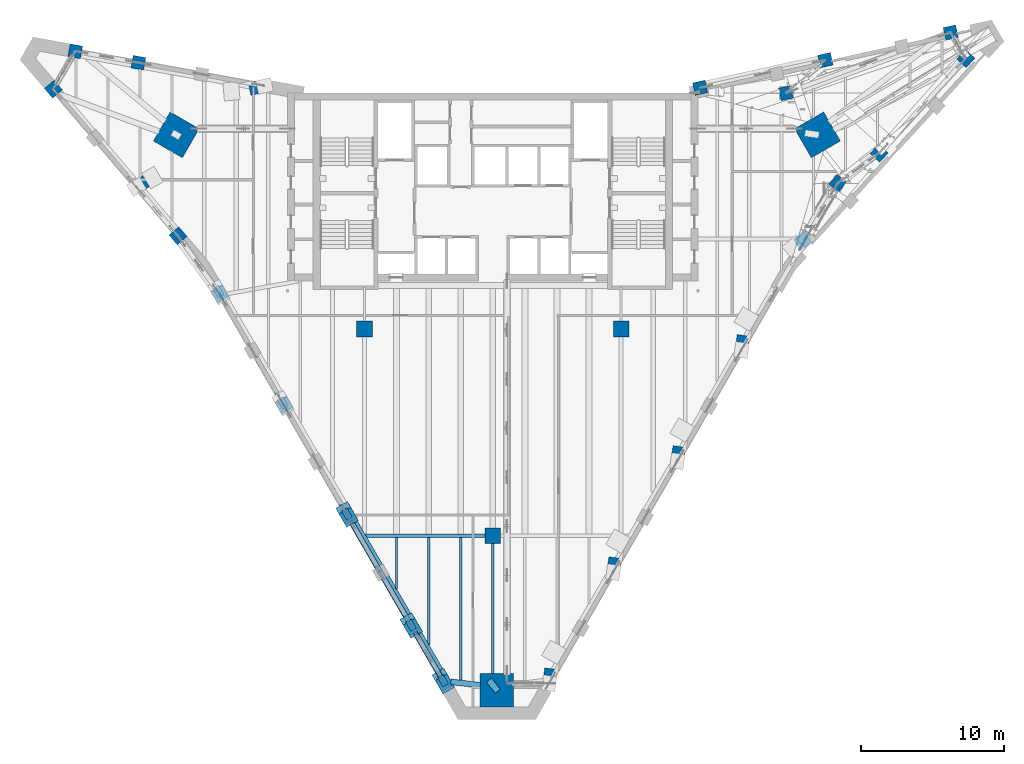
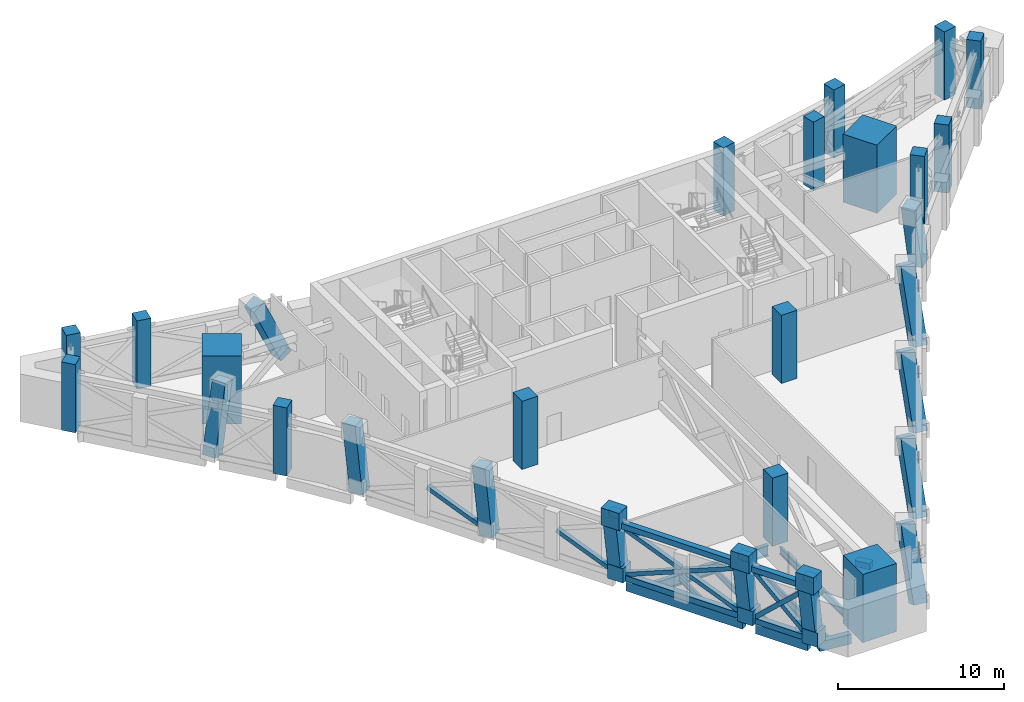
# One storey, part 1 of 23: 29 columns, 18 beams, 12 members.
"""IFC4 building model written with IfcOpenShell, lengths in metres."""

from ifc_helpers import new_model, si_unit, direction, frame, origin, origin_2d, place, context, subcontext, project, spatial, rectangle, hollow_rectangle, i_section, extrude, clip, halfspace, material, material_profile, profile_set, type_object, element, save


model = new_model("IFC4")

# Units and contexts
model_context = context("Model", 3, precision=1e-05, world=origin(), true_north=direction((0.0, 1.0)))
body_context = subcontext(model_context, "Body", "Model", "MODEL_VIEW")
ifc_project = project(units=[si_unit("LENGTHUNIT", "METRE"), si_unit("AREAUNIT", "SQUARE_METRE"), si_unit("VOLUMEUNIT", "CUBIC_METRE"), si_unit("PLANEANGLEUNIT", "RADIAN"), si_unit("MASSUNIT", "GRAM", prefix="KILO")], contexts=[model_context])

# Site, building, storey
site_placement = place(None, origin())
site = spatial("IfcSite", under=ifc_project, at=site_placement, CompositionType="ELEMENT")
building_placement = place(site_placement, origin())
building = spatial("IfcBuilding", under=site, at=building_placement, Name="Calabash Gate Tower", CompositionType="ELEMENT")
storey_placement = place(building_placement, frame((0.0, 0.0, 243.199951171875)))
storey = spatial("IfcBuildingStorey", under=building, at=storey_placement, Name="L58", CompositionType="ELEMENT", Elevation=243.199951171875)

# Columns
ifc_material_1 = material(Name="Concrete C60/75", Category="concrete")
ifc_material_profile_1 = material_profile(ifc_material_1, rectangle(XDim=1.10009765625, YDim=1.10009765625, at=origin_2d()))
ifc_profile_set_1 = profile_set([ifc_material_profile_1], Name="Concrete C60/75")
column_type_1 = type_object("IfcColumnType", Name="Interior column RC 1100x1100 Concrete C60/75", PredefinedType="COLUMN", material=ifc_profile_set_1)
for number, where, z_axis, x_axis, name in (
    (1, (-9.0, 2.5, 0.0), (0.0, 0.0, 1.0), (1.0, 0.0, 0.0), "Interior column L58 I0"),
    (2, (9.0, 2.5, 0.0), (0.0, 0.0, 1.0), (1.0, 0.0, 0.0), "Interior column L58 I1"),
    (3, (0.0, -12.0, 0.0), (0.0, 0.0, 1.0), (1.0, 0.0, 0.0), "Interior column L58 I2"),
):
    element("IfcColumn", number, at=place(storey_placement, frame(where, z_axis=z_axis, x_axis=x_axis)), inside=storey, type_object=column_type_1, Name=name, PredefinedType="COLUMN", context=body_context, shape_type="SweptSolid", body=[
        extrude(rectangle(XDim=1.10009765625, YDim=1.10009765625, at=origin_2d()), origin(), (0.0, 0.0, 1.0), 5.0),
    ])
ifc_material_2 = material(Name="Concrete C70/85", Category="concrete")
ifc_material_profile_2 = material_profile(ifc_material_2, rectangle(XDim=2.35009765625, YDim=2.35009765625, at=origin_2d()))
ifc_profile_set_2 = profile_set([ifc_material_profile_2], Name="Concrete C70/85")
column_type_2 = type_object("IfcColumnType", Name="Mega column RC 2350x2350 Concrete C70/85", PredefinedType="COLUMN", material=ifc_profile_set_2)
for number, where, z_axis, x_axis, name in (
    (4, (-22.2060546875, 16.116943359375, 0.0), (0.0, 0.0, 1.0), (0.866025412511, -0.499999984885, 0.0), "Mega column L58 NW"),
    (5, (22.77392578125, 16.116943359375, 0.0), (0.0, 0.0, 1.0), (-0.866025412511, -0.499999984885, 0.0), "Mega column L58 NE"),
    (6, (0.283935546875, -22.8369140625, 0.0), (0.0, 0.0, 1.0), (0.0, 1.0, 0.0), "Mega column L58 S"),
):
    element("IfcColumn", number, at=place(storey_placement, frame(where, z_axis=z_axis, x_axis=x_axis)), inside=storey, type_object=column_type_2, Name=name, PredefinedType="COLUMN", context=body_context, shape_type="SweptSolid", body=[
        extrude(rectangle(XDim=2.35009765625, YDim=2.35009765625, at=origin_2d()), origin(), (0.0, 0.0, 1.0), 5.0),
    ])
ifc_material_3 = material(Name="Concrete C50/60", Category="concrete")
ifc_material_profile_3 = material_profile(ifc_material_3, rectangle(XDim=0.89990234375, YDim=0.89990234375, at=origin_2d()))
ifc_profile_set_3 = profile_set([ifc_material_profile_3], Name="Concrete C50/60")
column_type_3 = type_object("IfcColumnType", Name="Perimeter column RC 900x900 Concrete C50/60", PredefinedType="COLUMN", material=ifc_profile_set_3)
for number, where, z_axis, x_axis, name in (
    (7, (27.10400390625, 14.825927734375, 0.0), (0.0, 0.0, 1.0), (0.67485604152, 0.737949404244, 0.0), "Perimeter column L58 P36"),
    (8, (33.177978515625, 21.468017578125, 0.0), (0.0, 0.0, 1.0), (0.67485604152, 0.737949404244, 0.0), "Perimeter column L58 P37"),
    (9, (32.12109375, 23.298095703125, 0.0), (0.0, 0.0, 1.0), (-0.976510951543, -0.215467773731, 0.0), "Perimeter column L58 P38"),
    (10, (23.3330078125, 21.35888671875, 0.0), (0.0, 0.0, 1.0), (-0.976510951543, -0.215467773731, 0.0), "Perimeter column L58 P39"),
    (11, (14.5439453125, 19.4189453125, 0.0), (0.0, 0.0, 1.0), (-0.976510951543, -0.215467773731, 0.0), "Perimeter column L58 P40"),
):
    element("IfcColumn", number, at=place(storey_placement, frame(where, z_axis=z_axis, x_axis=x_axis)), inside=storey, type_object=column_type_3, Name=name, PredefinedType="COLUMN", context=body_context, shape_type="SweptSolid", body=[
        extrude(rectangle(XDim=0.89990234375, YDim=0.89990234375, at=origin_2d()), origin(), (0.0, 0.0, 1.0), 5.0),
    ])
ifc_material_4 = material(Name="Concrete C60/75", Category="concrete")
ifc_material_profile_4 = material_profile(ifc_material_4, rectangle(XDim=0.89990234375, YDim=0.89990234375, at=origin_2d()))
ifc_profile_set_4 = profile_set([ifc_material_profile_4], Name="Concrete C60/75")
column_type_4 = type_object("IfcColumnType", Name="Perimeter column RC 900x900 Concrete C60/75", PredefinedType="COLUMN", material=ifc_profile_set_4)
for number, where, z_axis, x_axis, name in (
    (12, (24.196044921875, 12.708984375, 0.0), (0.0, 0.0, 1.0), (0.67485604152, 0.737949404244, 0.0), "Perimeter column L58 P13"),
    (13, (20.576904296875, 19.052978515625, 0.0), (0.0, 0.0, 1.0), (-0.976510947782, -0.215467790775, 0.0), "Perimeter column L58 P24"),
    (14, (-24.865966796875, 21.1708984375, 0.0), (0.0, 0.0, 1.0), (-0.983669930074, 0.179981856499, 0.0), "Perimeter column L58 P32"),
    (15, (-29.29296875, 21.97998046875, 0.0), (0.0, 0.0, 1.0), (-0.983669930074, 0.179981856499, 0.0), "Perimeter column L58 P33"),
    (16, (-30.827880859375, 19.322021484375, 0.0), (0.0, 0.0, 1.0), (0.647703824985, -0.761892220133, 0.0), "Perimeter column L58 P34"),
    (17, (-22.083984375, 9.037109375, 0.0), (0.0, 0.0, 1.0), (0.647703824985, -0.761892220133, 0.0), "Perimeter column L58 P35"),
):
    element("IfcColumn", number, at=place(storey_placement, frame(where, z_axis=z_axis, x_axis=x_axis)), inside=storey, type_object=column_type_4, Name=name, PredefinedType="COLUMN", context=body_context, shape_type="SweptSolid", body=[
        extrude(rectangle(XDim=0.89990234375, YDim=0.89990234375, at=origin_2d()), origin(), (0.0, 0.0, 1.0), 5.0),
    ])
ifc_material_5 = material(Name="Concrete C50/60", Category="concrete")
ifc_material_profile_5 = material_profile(ifc_material_5, rectangle(XDim=0.89990234375, YDim=0.89990234375, at=origin_2d()))
ifc_profile_set_5 = profile_set([ifc_material_profile_5], Name="Concrete C50/60")
column_type_5 = type_object("IfcColumnType", Name="Raking transfer column RC 900x900 Concrete C50/60", PredefinedType="COLUMN", material=ifc_profile_set_5)
column_1_placement = place(storey_placement, frame((-19.10693359375, 4.8779296875, 0.0), z_axis=(-0.052924598221, 0.09147701197, 0.994399790418), x_axis=(-0.865573038351, -0.500782702656, 0.0)))
element("IfcColumn", 18, at=column_1_placement, inside=storey, type_object=column_type_5, Name="Raking transfer column L58 TP00", PredefinedType="COLUMN", context=body_context, shape_type="Clipping", body=[
    clip(clip(extrude(rectangle(XDim=0.89990234375, YDim=0.89990234375, at=origin_2d()), origin(), (0.0, 0.0, 1.0), 5.028076171875), halfspace(frame((0.0, 0.0, 0.052001953125), z_axis=(0.0, 0.0, 1.0), x_axis=(1.0, 0.0, 0.0)), True)), halfspace(frame((0.0, 0.0, 4.97607421875), z_axis=(0.0, 0.0, 1.0), x_axis=(1.0, 0.0, 0.0)), False)),
])
for number, where, z_axis, x_axis, name in (
    (19, (-14.60693359375, -2.9169921875, 0.0), (-0.05292365696, 0.091669600312, 0.994382105085), (-0.866032814021, -0.499987164874, 0.0), "Raking transfer column L58 TP01"),
    (20, (-10.10693359375, -10.7109375, 0.0), (-0.05292365696, 0.091669600312, 0.994382105085), (-0.866032814021, -0.499987164874, 0.0), "Raking transfer column L58 TP02"),
):
    element("IfcColumn", number, at=place(storey_placement, frame(where, z_axis=z_axis, x_axis=x_axis)), inside=storey, type_object=column_type_5, Name=name, PredefinedType="COLUMN", context=body_context, shape_type="Clipping", body=[
        clip(clip(extrude(rectangle(XDim=0.89990234375, YDim=0.89990234375, at=origin_2d()), origin(), (0.0, 0.0, 1.0), 5.0283203125), halfspace(frame((0.0, 0.0, 0.052001953125), z_axis=(0.0, 0.0, 1.0), x_axis=(1.0, 0.0, 0.0)), True)), halfspace(frame((0.0, 0.0, 4.976318359375), z_axis=(0.0, 0.0, 1.0), x_axis=(1.0, 0.0, 0.0)), False)),
    ])
column_2_placement = place(storey_placement, frame((-5.60693359375, -18.5029296875, 0.0), z_axis=(-0.052924598221, 0.09147701197, 0.994399790418), x_axis=(-0.865573038351, -0.500782702656, 0.0)))
element("IfcColumn", 21, at=column_2_placement, inside=storey, type_object=column_type_5, Name="Raking transfer column L58 TP03", PredefinedType="COLUMN", context=body_context, shape_type="Clipping", body=[
    clip(clip(extrude(rectangle(XDim=0.89990234375, YDim=0.89990234375, at=origin_2d()), origin(), (0.0, 0.0, 1.0), 5.028076171875), halfspace(frame((0.0, 0.0, 0.052001953125), z_axis=(0.0, 0.0, 1.0), x_axis=(1.0, 0.0, 0.0)), True)), halfspace(frame((0.0, 0.0, 4.97607421875), z_axis=(0.0, 0.0, 1.0), x_axis=(1.0, 0.0, 0.0)), False)),
])
column_3_placement = place(storey_placement, frame((3.946044921875, -22.363037109375, 0.0), z_axis=(0.057747524839, 0.408014291444, 0.911147387283), x_axis=(-0.990132197726, 0.140136472865, 0.0)))
element("IfcColumn", 22, at=column_3_placement, inside=storey, type_object=column_type_5, Name="Raking transfer column L58 TP08", PredefinedType="COLUMN", context=body_context, shape_type="Clipping", body=[
    clip(clip(extrude(rectangle(XDim=0.89990234375, YDim=0.89990234375, at=origin_2d()), origin(), (0.0, 0.0, 1.0), 5.487548828125), halfspace(frame((0.0, 0.0, 0.2080078125), z_axis=(0.0, 0.0, 1.0), x_axis=(1.0, 0.0, 0.0)), True)), halfspace(frame((0.0, 0.0, 5.279541015625), z_axis=(0.0, 0.0, 1.0), x_axis=(1.0, 0.0, 0.0)), False)),
])
column_4_placement = place(storey_placement, frame((8.446044921875, -14.571044921875, 0.0), z_axis=(0.057739136959, 0.408310892257, 0.911015042317), x_axis=(-0.990149137671, 0.140016731746, 0.0)))
element("IfcColumn", 23, at=column_4_placement, inside=storey, type_object=column_type_5, Name="Raking transfer column L58 TP09", PredefinedType="COLUMN", context=body_context, shape_type="Clipping", body=[
    clip(clip(extrude(rectangle(XDim=0.89990234375, YDim=0.89990234375, at=origin_2d()), origin(), (0.0, 0.0, 1.0), 5.48828125), halfspace(frame((0.0, 0.0, 0.2080078125), z_axis=(0.0, 0.0, 1.0), x_axis=(1.0, 0.0, 0.0)), True)), halfspace(frame((0.0, 0.0, 5.2802734375), z_axis=(0.0, 0.0, 1.0), x_axis=(1.0, 0.0, 0.0)), False)),
])
column_5_placement = place(storey_placement, frame((12.946044921875, -6.77587890625, 0.0), z_axis=(0.057730745425, 0.408607363807, 0.910882639683), x_axis=(-0.990166034249, 0.13989719304, 0.0)))
element("IfcColumn", 24, at=column_5_placement, inside=storey, type_object=column_type_5, Name="Raking transfer column L58 TP10", PredefinedType="COLUMN", context=body_context, shape_type="Clipping", body=[
    clip(clip(extrude(rectangle(XDim=0.89990234375, YDim=0.89990234375, at=origin_2d()), origin(), (0.0, 0.0, 1.0), 5.4892578125), halfspace(frame((0.0, 0.0, 0.2080078125), z_axis=(0.0, 0.0, 1.0), x_axis=(1.0, 0.0, 0.0)), True)), halfspace(frame((0.0, 0.0, 5.28125), z_axis=(0.0, 0.0, 1.0), x_axis=(1.0, 0.0, 0.0)), False)),
])
column_6_placement = place(storey_placement, frame((17.446044921875, 1.01806640625, 0.0), z_axis=(0.057739136959, 0.408310892257, 0.911015042317), x_axis=(-0.990149137671, 0.140016731746, 0.0)))
element("IfcColumn", 25, at=column_6_placement, inside=storey, type_object=column_type_5, Name="Raking transfer column L58 TP11", PredefinedType="COLUMN", context=body_context, shape_type="Clipping", body=[
    clip(clip(extrude(rectangle(XDim=0.89990234375, YDim=0.89990234375, at=origin_2d()), origin(), (0.0, 0.0, 1.0), 5.48828125), halfspace(frame((0.0, 0.0, 0.2080078125), z_axis=(0.0, 0.0, 1.0), x_axis=(1.0, 0.0, 0.0)), True)), halfspace(frame((0.0, 0.0, 5.2802734375), z_axis=(0.0, 0.0, 1.0), x_axis=(1.0, 0.0, 0.0)), False)),
])
column_7_placement = place(storey_placement, frame((21.946044921875, 8.81201171875, 0.0), z_axis=(-0.178672492864, -0.122038842511, 0.976310740089), x_axis=(0.564020277676, -0.825760937784, 0.0)))
element("IfcColumn", 26, at=column_7_placement, inside=storey, type_object=column_type_5, Name="Raking transfer column L58 TP12", PredefinedType="COLUMN", context=body_context, shape_type="Clipping", body=[
    clip(clip(extrude(rectangle(XDim=0.89990234375, YDim=0.89990234375, at=origin_2d()), origin(), (0.0, 0.0, 1.0), 5.121337890625), halfspace(frame((0.0, 0.0, 0.10400390625), z_axis=(0.0, 0.0, 1.0), x_axis=(1.0, 0.0, 0.0)), True)), halfspace(frame((0.0, 0.0, 5.017333984375), z_axis=(0.0, 0.0, 1.0), x_axis=(1.0, 0.0, 0.0)), False)),
])
column_8_placement = place(storey_placement, frame((-24.998046875, 12.467041015625, 0.0), z_axis=(0.217687070943, 0.128684804959, 0.967498093082), x_axis=(-0.508880357286, 0.860837256378, 0.0)))
element("IfcColumn", 27, at=column_8_placement, inside=storey, type_object=column_type_5, Name="Raking transfer column L58 TP20", PredefinedType="COLUMN", context=body_context, shape_type="Clipping", body=[
    clip(clip(extrude(rectangle(XDim=0.89990234375, YDim=0.89990234375, at=origin_2d()), origin(), (0.0, 0.0, 1.0), 5.16796875), halfspace(frame((0.0, 0.0, 0.1220703125), z_axis=(0.0, 0.0, 1.0), x_axis=(1.0, 0.0, 0.0)), True)), halfspace(frame((0.0, 0.0, 5.0458984375), z_axis=(0.0, 0.0, 1.0), x_axis=(1.0, 0.0, 0.0)), False)),
])
column_9_placement = place(storey_placement, frame((-3.35693359375, -22.402099609375, 0.0), z_axis=(-0.052924363088, 0.091525160019, 0.994395372513), x_axis=(-0.865688187955, -0.500583620621, 0.0)))
element("IfcColumn", 28, at=column_9_placement, inside=storey, type_object=column_type_5, Name="Raking transfer column L58 TP25", PredefinedType="COLUMN", context=body_context, shape_type="Clipping", body=[
    clip(clip(extrude(rectangle(XDim=0.89990234375, YDim=0.89990234375, at=origin_2d()), origin(), (0.0, 0.0, 1.0), 5.028076171875), halfspace(frame((0.0, 0.0, 0.052001953125), z_axis=(0.0, 0.0, 1.0), x_axis=(1.0, 0.0, 0.0)), True)), halfspace(frame((0.0, 0.0, 4.97607421875), z_axis=(0.0, 0.0, 1.0), x_axis=(1.0, 0.0, 0.0)), False)),
])
column_10_placement = place(storey_placement, frame((-16.012939453125, 19.551025390625, 0.0), z_axis=(-0.422175331094, -0.089852652627, 0.902050159709), x_axis=(0.208169957675, -0.97809266878, 0.0)))
element("IfcColumn", 29, at=column_10_placement, inside=storey, type_object=column_type_5, Name="Raking transfer column L58 TP31", PredefinedType="COLUMN", context=body_context, shape_type="Clipping", body=[
    clip(clip(extrude(rectangle(XDim=0.89990234375, YDim=0.89990234375, at=origin_2d()), origin(), (0.0, 0.0, 1.0), 5.54296875), halfspace(frame((0.0, 0.0, 0.219970703125), z_axis=(0.0, 0.0, 1.0), x_axis=(1.0, 0.0, 0.0)), True)), halfspace(frame((0.0, 0.0, 5.322998046875), z_axis=(0.0, 0.0, 1.0), x_axis=(1.0, 0.0, 0.0)), False)),
])

# Members
ifc_material_6 = material(Name="Steel ASTM A500 Gr C", Category="steel")
ifc_material_profile_6 = material_profile(ifc_material_6, hollow_rectangle(XDim=0.406494140625, YDim=0.406494140625, WallThickness=0.015869140625, at=origin_2d()))
ifc_profile_set_6 = profile_set([ifc_material_profile_6], Name="Steel ASTM A500 Gr C")
member_type_1 = type_object("IfcMemberType", Name="Belt truss chord HSS16X16X.625 ASTM A500 Gr C", PredefinedType="CHORD", material=ifc_profile_set_6)
member_1_placement = place(storey_placement, frame((-9.882080078125, -11.1005859375, 0.203369140625), z_axis=(0.499999880539, -0.866025472755, 0.0), x_axis=(0.866025472755, 0.499999880539, 0.0)))
element("IfcMember", 30, at=member_1_placement, inside=storey, type_object=member_type_1, Name="Belt chord L58 11", PredefinedType="CHORD", context=body_context, shape_type="SweptSolid", body=[
    extrude(hollow_rectangle(XDim=0.406494140625, YDim=0.406494140625, WallThickness=0.015869140625, at=origin_2d()), origin(), (0.0, 0.0, 1.0), 8.10009765625),
])
member_2_placement = place(storey_placement, frame((-9.968994140625, -10.948974609375, 3.927001953125), z_axis=(0.499943798162, -0.866057848997, -2.9503913e-05), x_axis=(0.866057849374, 0.49994379838, 0.0)))
element("IfcMember", 31, at=member_2_placement, inside=storey, type_object=member_type_1, Name="Belt chord L58 12", PredefinedType="CHORD", context=body_context, shape_type="SweptSolid", body=[
    extrude(hollow_rectangle(XDim=0.406494140625, YDim=0.406494140625, WallThickness=0.015869140625, at=origin_2d()), origin(), (0.0, 0.0, 1.0), 8.27490234375),
])
member_3_placement = place(storey_placement, frame((-5.382080078125, -18.894775390625, 0.203369140625), z_axis=(0.500012057535, -0.866018442252, 0.0), x_axis=(0.866018442252, 0.500012057535, 0.0)))
element("IfcMember", 32, at=member_3_placement, inside=storey, type_object=member_type_1, Name="Belt chord L58 16", PredefinedType="CHORD", context=body_context, shape_type="SweptSolid", body=[
    extrude(hollow_rectangle(XDim=0.406494140625, YDim=0.406494140625, WallThickness=0.015869140625, at=origin_2d()), origin(), (0.0, 0.0, 1.0), 3.60009765625),
])
member_4_placement = place(storey_placement, frame((-5.468994140625, -18.742919921875, 3.927001953125), z_axis=(0.499860549958, -0.866105897921, -6.4673379e-05), x_axis=(0.866105899732, 0.499860551003, 0.0)))
element("IfcMember", 33, at=member_4_placement, inside=storey, type_object=member_type_1, Name="Belt chord L58 17", PredefinedType="CHORD", context=body_context, shape_type="SweptSolid", body=[
    extrude(hollow_rectangle(XDim=0.406494140625, YDim=0.406494140625, WallThickness=0.015869140625, at=origin_2d()), origin(), (0.0, 0.0, 1.0), 3.77490234375),
])
ifc_material_7 = material(Name="Steel ASTM A500 Gr C", Category="steel")
ifc_material_profile_7 = material_profile(ifc_material_7, hollow_rectangle(XDim=0.3046875, YDim=0.3046875, WallThickness=0.0126953125, at=origin_2d()))
ifc_profile_set_7 = profile_set([ifc_material_profile_7], Name="Steel ASTM A500 Gr C")
member_type_2 = type_object("IfcMemberType", Name="Belt truss diagonal HSS12X12X.500 ASTM A500 Gr C", PredefinedType="BRACE", material=ifc_profile_set_7)
for number, where, z_axis, x_axis, name in (
    (34, (-16.75634765625, 0.806396484375, 1.982666015625), (0.462679271023, -0.801441269637, -0.378972008846), (0.866040873467, 0.499973204766, 0.0), "Belt diagonal (split) L58 5 half 2 of 2"),
    (35, (-12.25634765625, -6.988037109375, 1.982666015625), (0.462679271023, -0.801441269637, -0.378972008846), (0.866040873467, 0.499973204766, 0.0), "Belt diagonal (split) L58 10 half 2 of 2"),
):
    element("IfcMember", number, at=place(storey_placement, frame(where, z_axis=z_axis, x_axis=x_axis)), inside=storey, type_object=member_type_2, Name=name, PredefinedType="BRACE", context=body_context, shape_type="SweptSolid", body=[
        extrude(hollow_rectangle(XDim=0.3046875, YDim=0.3046875, WallThickness=0.0126953125, at=origin_2d()), origin(), (0.0, 0.0, 1.0), 4.1591796875),
    ])
member_5_placement = place(storey_placement, frame((-9.882080078125, -11.1005859375, 0.406494140625), z_axis=(0.462704041468, -0.801427163994, 0.378971596325), x_axis=(0.866025472755, 0.499999880539, 0.0)))
element("IfcMember", 36, at=member_5_placement, inside=storey, type_object=member_type_2, Name="Belt diagonal L58 13", PredefinedType="BRACE", context=body_context, shape_type="SweptSolid", body=[
    extrude(hollow_rectangle(XDim=0.3046875, YDim=0.3046875, WallThickness=0.0126953125, at=origin_2d()), origin(), (0.0, 0.0, 1.0), 8.7529296875),
])
for number, where, z_axis, x_axis, name in (
    (37, (-9.882080078125, -11.1005859375, 3.7236328125), (0.462725403696, -0.801419502304, -0.378961715878), (0.866013407032, 0.50002077841, 0.0), "Belt diagonal (split) L58 14 half 1 of 2"),
    (38, (-7.75634765625, -14.7822265625, 1.982666015625), (0.462679271023, -0.801441269637, -0.378972008846), (0.866040873467, 0.499973204766, 0.0), "Belt diagonal (split) L58 15 half 2 of 2"),
):
    element("IfcMember", number, at=place(storey_placement, frame(where, z_axis=z_axis, x_axis=x_axis)), inside=storey, type_object=member_type_2, Name=name, PredefinedType="BRACE", context=body_context, shape_type="SweptSolid", body=[
        extrude(hollow_rectangle(XDim=0.3046875, YDim=0.3046875, WallThickness=0.0126953125, at=origin_2d()), origin(), (0.0, 0.0, 1.0), 4.1591796875),
    ])
member_6_placement = place(storey_placement, frame((-5.382080078125, -18.894775390625, 0.406494140625), z_axis=(0.367713249535, -0.636877552769, 0.67762375172), x_axis=(0.866018442252, 0.500012057535, 0.0)))
element("IfcMember", 39, at=member_6_placement, inside=storey, type_object=member_type_2, Name="Belt diagonal L58 18", PredefinedType="BRACE", context=body_context, shape_type="SweptSolid", body=[
    extrude(hollow_rectangle(XDim=0.3046875, YDim=0.3046875, WallThickness=0.0126953125, at=origin_2d()), origin(), (0.0, 0.0, 1.0), 4.895263671875),
])
for number, where, z_axis, x_axis, name in (
    (40, (-5.382080078125, -18.894775390625, 3.7236328125), (0.367792585495, -0.636854618679, -0.677602249644), (0.865963927625, 0.500106464718, 0.0), "Belt diagonal (split) L58 19 half 1 of 2"),
    (41, (-4.42578125, -20.551025390625, 1.96142578125), (0.367700581029, -0.63687953647, -0.67762876174), (0.866026575979, 0.499997969693, 0.0), "Belt diagonal (split) L58 20 half 2 of 2"),
):
    element("IfcMember", number, at=place(storey_placement, frame(where, z_axis=z_axis, x_axis=x_axis)), inside=storey, type_object=member_type_2, Name=name, PredefinedType="BRACE", context=body_context, shape_type="SweptSolid", body=[
        extrude(hollow_rectangle(XDim=0.3046875, YDim=0.3046875, WallThickness=0.0126953125, at=origin_2d()), origin(), (0.0, 0.0, 1.0), 2.294677734375),
    ])

# Beams
ifc_material_8 = material(Name="Concrete C80/95", Category="concrete")
ifc_material_profile_8 = material_profile(ifc_material_8, rectangle(XDim=0.449951171875, YDim=0.449951171875, at=origin_2d()))
ifc_profile_set_8 = profile_set([ifc_material_profile_8], Name="Concrete C80/95")
beam_type_1 = type_object("IfcBeamType", Name="Column offset link RC 450x450 Concrete C80/95", PredefinedType="BEAM", material=ifc_profile_set_8)
for number, where, z_axis, x_axis, name in (
    (42, (-10.056884765625, -10.798095703125, 4.60400390625), (-0.500155377952, 0.865935677695, 0.0), (-0.865935677695, -0.500155377952, 0.0), "Column offset link L58 P02"),
    (43, (-5.556884765625, -18.592041015625, 4.60400390625), (-0.500155377952, 0.865935677695, 0.0), (-0.865935677695, -0.500155377952, 0.0), "Column offset link L58 P03"),
):
    element("IfcBeam", number, at=place(storey_placement, frame(where, z_axis=z_axis, x_axis=x_axis)), inside=storey, type_object=beam_type_1, Name=name, PredefinedType="BEAM", context=body_context, shape_type="SweptSolid", body=[
        extrude(rectangle(XDim=0.449951171875, YDim=0.449951171875, at=origin_2d()), origin(), (0.0, 0.0, 1.0), 0.732177734375),
    ])
beam_1_placement = place(storey_placement, frame((-3.306884765625, -22.489013671875, 4.60400390625), z_axis=(-0.499002299738, 0.866600660545, 0.0), x_axis=(-0.866600660545, -0.499002299738, 0.0)))
element("IfcBeam", 44, at=beam_1_placement, inside=storey, type_object=beam_type_1, Name="Column offset link L58 P25", PredefinedType="BEAM", context=body_context, shape_type="SweptSolid", body=[
    extrude(rectangle(XDim=0.449951171875, YDim=0.449951171875, at=origin_2d()), origin(), (0.0, 0.0, 1.0), 0.73388671875),
])
beam_2_placement = place(storey_placement, frame((0.345947265625, -22.9130859375, 4.60400390625), z_axis=(-0.61983635684, 0.784731094541, 0.0), x_axis=(-0.784731094541, -0.61983635684, 0.0)))
element("IfcBeam", 45, at=beam_2_placement, inside=storey, type_object=beam_type_1, Name="Column offset link L58 S", PredefinedType="BEAM", context=body_context, shape_type="SweptSolid", body=[
    extrude(rectangle(XDim=0.449951171875, YDim=0.449951171875, at=origin_2d()), origin(), (0.0, 0.0, 1.0), 0.989013671875),
])
ifc_material_9 = material(Name="Concrete C50/60", Category="concrete")
ifc_material_profile_9 = material_profile(ifc_material_9, rectangle(XDim=0.39990234375, YDim=0.699951171875, at=origin_2d()))
ifc_profile_set_9 = profile_set([ifc_material_profile_9], Name="Concrete C50/60")
beam_type_2 = type_object("IfcBeamType", Name="Edge beam RC 400x700 Concrete C50/60", PredefinedType="BEAM", material=ifc_profile_set_9)
beam_3_placement = place(storey_placement, frame((-9.708984375, -11.0009765625, -0.52001953125), z_axis=(0.50015653576, -0.865935008956, 0.0), x_axis=(0.865935008956, 0.50015653576, 0.0)))
element("IfcBeam", 46, at=beam_3_placement, inside=storey, type_object=beam_type_2, Name="Edge beam L58 2", PredefinedType="BEAM", context=body_context, shape_type="SweptSolid", body=[
    extrude(rectangle(XDim=0.39990234375, YDim=0.699951171875, at=origin_2d()), origin(), (0.0, 0.0, 1.0), 8.09765625),
])
beam_4_placement = place(storey_placement, frame((-5.208984375, -18.79296875, -0.52001953125), z_axis=(0.499718541836, -0.86618784276, 0.0), x_axis=(0.86618784276, 0.499718541836, 0.0)))
element("IfcBeam", 47, at=beam_4_placement, inside=storey, type_object=beam_type_2, Name="Edge beam L58 3", PredefinedType="BEAM", context=body_context, shape_type="SweptSolid", body=[
    extrude(rectangle(XDim=0.39990234375, YDim=0.699951171875, at=origin_2d()), origin(), (0.0, 0.0, 1.0), 3.60205078125),
])
beam_5_placement = place(storey_placement, frame((-2.9560546875, -22.2490234375, -0.52001953125), z_axis=(0.99294515256, -0.118574550423, 0.0), x_axis=(0.118574550423, 0.99294515256, 0.0)))
element("IfcBeam", 48, at=beam_5_placement, inside=storey, type_object=beam_type_2, Name="Edge beam L58 4", PredefinedType="BEAM", context=body_context, shape_type="SweptSolid", body=[
    extrude(rectangle(XDim=0.39990234375, YDim=0.699951171875, at=origin_2d()), origin(), (0.0, 0.0, 1.0), 2.091796875),
])
ifc_material_10 = material(Name="Steel ASTM A992 Gr50", Category="steel")
ifc_material_profile_10 = material_profile(ifc_material_10, i_section(OverallWidth=0.1396484375, OverallDepth=0.398681640625, WebThickness=0.00634765625, FlangeThickness=0.0087890625, FilletRadius=0.01025390625, at=origin_2d()))
ifc_profile_set_10 = profile_set([ifc_material_profile_10], Name="Steel ASTM A992 Gr50")
beam_type_3 = type_object("IfcBeamType", Name="Floor beam W16x26 ASTM A992 Gr50", PredefinedType="BEAM", material=ifc_profile_set_10)
beam_6_placement = place(storey_placement, frame((-6.75, -15.737060546875, -0.368896484375), z_axis=(0.0, 1.0, 0.0), x_axis=(-1.0, 0.0, 0.0)))
element("IfcBeam", 49, at=beam_6_placement, inside=storey, type_object=beam_type_3, Name="Floor beam L58 16", PredefinedType="BEAM", context=body_context, shape_type="SweptSolid", body=[
    extrude(i_section(OverallWidth=0.1396484375, OverallDepth=0.398681640625, WebThickness=0.00634765625, FlangeThickness=0.0087890625, FilletRadius=0.01025390625, at=origin_2d()), origin(), (0.0, 0.0, 1.0), 3.60400390625),
])
ifc_material_11 = material(Name="Steel ASTM A992 Gr50", Category="steel")
ifc_material_profile_11 = material_profile(ifc_material_11, i_section(OverallWidth=0.15234375, OverallDepth=0.44970703125, WebThickness=0.007568359375, FlangeThickness=0.0107421875, FilletRadius=0.01025390625, at=origin_2d()))
ifc_profile_set_11 = profile_set([ifc_material_profile_11], Name="Steel ASTM A992 Gr50")
beam_type_4 = type_object("IfcBeamType", Name="Floor beam W18x35 ASTM A992 Gr50", PredefinedType="BEAM", material=ifc_profile_set_11)
beam_7_placement = place(storey_placement, frame((-4.5, -19.654052734375, -0.39306640625), z_axis=(0.0, 1.0, 0.0), x_axis=(-1.0, 0.0, 0.0)))
element("IfcBeam", 50, at=beam_7_placement, inside=storey, type_object=beam_type_4, Name="Floor beam L58 18", PredefinedType="BEAM", context=body_context, shape_type="SweptSolid", body=[
    extrude(i_section(OverallWidth=0.15234375, OverallDepth=0.44970703125, WebThickness=0.007568359375, FlangeThickness=0.0107421875, FilletRadius=0.01025390625, at=origin_2d()), origin(), (0.0, 0.0, 1.0), 7.52099609375),
])
ifc_material_12 = material(Name="Steel ASTM A992 Gr50", Category="steel")
ifc_material_profile_12 = material_profile(ifc_material_12, i_section(OverallWidth=0.166015625, OverallDepth=0.5283203125, WebThickness=0.009765625, FlangeThickness=0.013671875, FilletRadius=0.0126953125, at=origin_2d()))
ifc_profile_set_12 = profile_set([ifc_material_profile_12], Name="Steel ASTM A992 Gr50")
beam_type_5 = type_object("IfcBeamType", Name="Floor beam W21x50 ASTM A992 Gr50", PredefinedType="BEAM", material=ifc_profile_set_12)
beam_8_placement = place(storey_placement, frame((0.0, -21.662109375, -0.433837890625), z_axis=(0.0, 1.0, 0.0), x_axis=(-1.0, 0.0, 0.0)))
element("IfcBeam", 51, at=beam_8_placement, inside=storey, type_object=beam_type_5, Name="Floor beam L58 22", PredefinedType="BEAM", context=body_context, shape_type="SweptSolid", body=[
    extrude(i_section(OverallWidth=0.166015625, OverallDepth=0.5283203125, WebThickness=0.009765625, FlangeThickness=0.013671875, FilletRadius=0.0126953125, at=origin_2d()), origin(), (0.0, 0.0, 1.0), 9.112060546875),
])
ifc_material_13 = material(Name="Steel ASTM A992 Gr50", Category="steel")
ifc_material_profile_13 = material_profile(ifc_material_13, i_section(OverallWidth=0.1787109375, OverallDepth=0.60205078125, WebThickness=0.010986328125, FlangeThickness=0.014892578125, FilletRadius=0.0126953125, at=origin_2d()))
ifc_profile_set_13 = profile_set([ifc_material_profile_13], Name="Steel ASTM A992 Gr50")
beam_type_6 = type_object("IfcBeamType", Name="Floor beam W24x62 ASTM A992 Gr50", PredefinedType="BEAM", material=ifc_profile_set_13)
beam_9_placement = place(storey_placement, frame((-2.25, -22.154052734375, -0.470947265625), z_axis=(0.0, 1.0, 0.0), x_axis=(-1.0, 0.0, 0.0)))
element("IfcBeam", 52, at=beam_9_placement, inside=storey, type_object=beam_type_6, Name="Floor beam L58 20", PredefinedType="BEAM", context=body_context, shape_type="SweptSolid", body=[
    extrude(i_section(OverallWidth=0.1787109375, OverallDepth=0.60205078125, WebThickness=0.010986328125, FlangeThickness=0.014892578125, FilletRadius=0.0126953125, at=origin_2d()), origin(), (0.0, 0.0, 1.0), 10.02099609375),
])
ifc_material_14 = material(Name="Steel ASTM A992 Gr50", Category="steel")
ifc_material_profile_14 = material_profile(ifc_material_14, i_section(OverallWidth=0.2666015625, OverallDepth=0.77978515625, WebThickness=0.0166015625, FlangeThickness=0.030029296875, FilletRadius=0.0166015625, at=origin_2d()))
ifc_profile_set_14 = profile_set([ifc_material_profile_14], Name="Steel ASTM A992 Gr50")
beam_type_7 = type_object("IfcBeamType", Name="Girder W30x148 ASTM A992 Gr50", PredefinedType="BEAM", material=ifc_profile_set_14)
beam_10_placement = place(storey_placement, frame((-8.93310546875, -12.0, -0.56005859375), z_axis=(1.0, 0.0, 0.0), x_axis=(0.0, 1.0, 0.0)))
element("IfcBeam", 53, at=beam_10_placement, inside=storey, type_object=beam_type_7, Name="Girder L58 4", PredefinedType="BEAM", context=body_context, shape_type="SweptSolid", body=[
    extrude(i_section(OverallWidth=0.2666015625, OverallDepth=0.77978515625, WebThickness=0.0166015625, FlangeThickness=0.030029296875, FilletRadius=0.0166015625, at=origin_2d()), origin(), (0.0, 0.0, 1.0), 8.383056640625),
])
ifc_material_15 = material(Name="Concrete C50/60", Category="concrete")
ifc_material_profile_15 = material_profile(ifc_material_15, rectangle(XDim=0.949951171875, YDim=1.050048828125, at=origin_2d()))
ifc_profile_set_15 = profile_set([ifc_material_profile_15], Name="Concrete C50/60")
beam_type_8 = type_object("IfcBeamType", Name="Transfer node RC 950x1050 Concrete C50/60", PredefinedType="BEAM", material=ifc_profile_set_15)
for number, where, z_axis, x_axis, name in (
    (54, (-10.3740234375, -10.248046875, 0.527099609375), (0.500190115378, -0.865915612793, 0.0), (0.865915612793, 0.500190115378, 0.0), "Transfer node L58 foot P02"),
    (55, (-5.8740234375, -18.0419921875, 0.527099609375), (0.500190115378, -0.865915612793, 0.0), (0.865915612793, 0.500190115378, 0.0), "Transfer node L58 foot P03"),
):
    element("IfcBeam", number, at=place(storey_placement, frame(where, z_axis=z_axis, x_axis=x_axis)), inside=storey, type_object=beam_type_8, Name=name, PredefinedType="BEAM", context=body_context, shape_type="SweptSolid", body=[
        extrude(rectangle(XDim=0.949951171875, YDim=1.050048828125, at=origin_2d()), origin(), (0.0, 0.0, 1.0), 1.0693359375),
    ])
beam_11_placement = place(storey_placement, frame((-3.6240234375, -21.93896484375, 0.527099609375), z_axis=(0.499794860427, -0.866143808782, 0.0), x_axis=(0.866143808782, 0.499794860427, 0.0)))
element("IfcBeam", 56, at=beam_11_placement, inside=storey, type_object=beam_type_8, Name="Transfer node L58 foot P25", PredefinedType="BEAM", context=body_context, shape_type="SweptSolid", body=[
    extrude(rectangle(XDim=0.949951171875, YDim=1.050048828125, at=origin_2d()), origin(), (0.0, 0.0, 1.0), 1.0703125),
])
ifc_material_16 = material(Name="Concrete C50/60", Category="concrete")
ifc_material_profile_16 = material_profile(ifc_material_16, rectangle(XDim=0.949951171875, YDim=1.25, at=origin_2d()))
ifc_profile_set_16 = profile_set([ifc_material_profile_16], Name="Concrete C50/60")
beam_type_9 = type_object("IfcBeamType", Name="Transfer node RC 950x1250 Concrete C50/60", PredefinedType="BEAM", material=ifc_profile_set_16)
beam_12_placement = place(storey_placement, frame((-10.60791015625, -9.843017578125, 4.376953125), z_axis=(0.499922110319, -0.866070368743, 0.0), x_axis=(0.866070368743, 0.499922110319, 0.0)))
element("IfcBeam", 57, at=beam_12_placement, inside=storey, type_object=beam_type_9, Name="Transfer node L58 head P02", PredefinedType="BEAM", context=body_context, shape_type="SweptSolid", body=[
    extrude(rectangle(XDim=0.949951171875, YDim=1.25, at=origin_2d()), origin(), (0.0, 0.0, 1.0), 1.270263671875),
])
beam_13_placement = place(storey_placement, frame((-6.10791015625, -17.637939453125, 4.376953125), z_axis=(0.500255167297, -0.865878032746, 0.0), x_axis=(0.865878032746, 0.500255167297, 0.0)))
element("IfcBeam", 58, at=beam_13_placement, inside=storey, type_object=beam_type_9, Name="Transfer node L58 head P03", PredefinedType="BEAM", context=body_context, shape_type="SweptSolid", body=[
    extrude(rectangle(XDim=0.949951171875, YDim=1.25, at=origin_2d()), origin(), (0.0, 0.0, 1.0), 1.269287109375),
])
beam_14_placement = place(storey_placement, frame((-3.85791015625, -21.532958984375, 4.376953125), z_axis=(0.499922110319, -0.866070368743, 0.0), x_axis=(0.866070368743, 0.499922110319, 0.0)))
element("IfcBeam", 59, at=beam_14_placement, inside=storey, type_object=beam_type_9, Name="Transfer node L58 head P25", PredefinedType="BEAM", context=body_context, shape_type="SweptSolid", body=[
    extrude(rectangle(XDim=0.949951171875, YDim=1.25, at=origin_2d()), origin(), (0.0, 0.0, 1.0), 1.270263671875),
])

save(model, "model.ifc")
